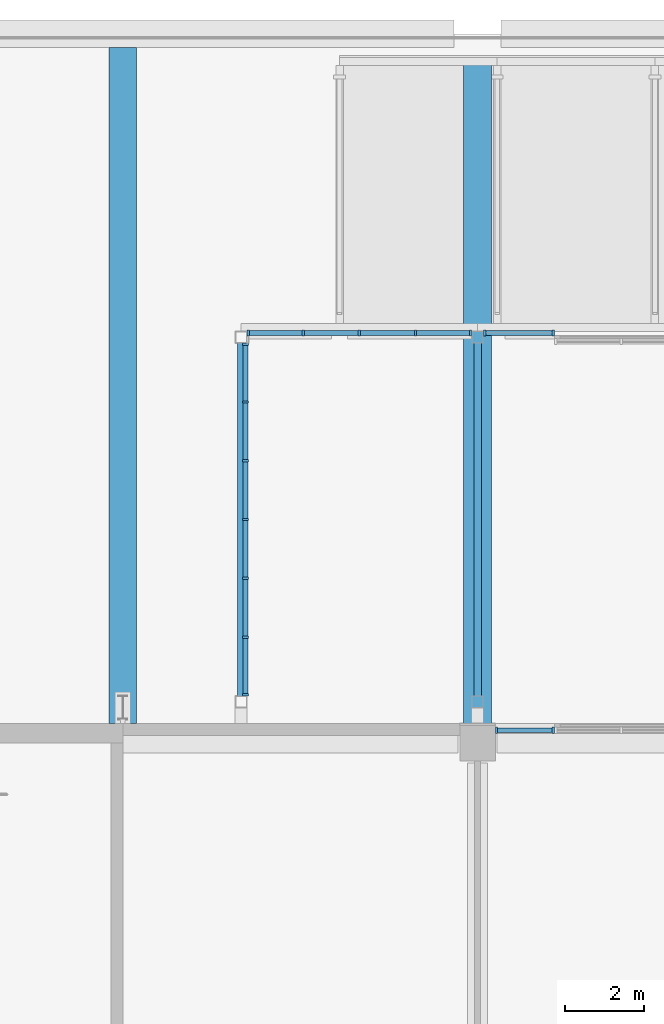
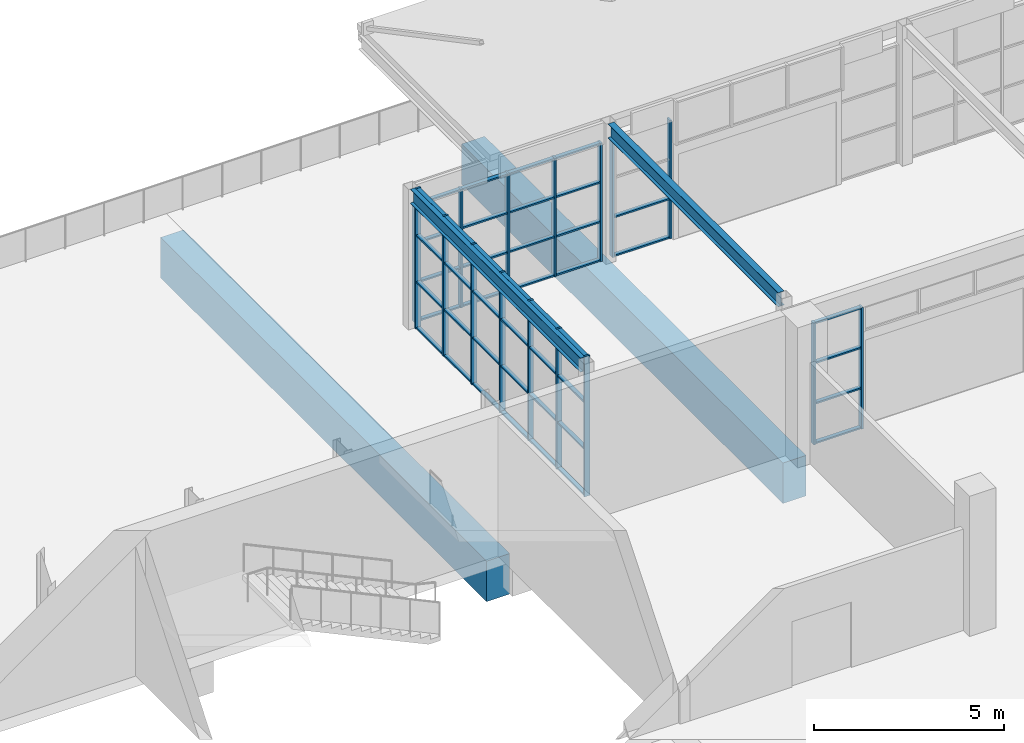
# One storey, part 58 of 168: 62 members, 4 beams, 4 elements without a shape of their own.
"""IFC4 building model written with IfcOpenShell, lengths in metres."""

from ifc_helpers import new_model, si_unit, direction, frame, origin, origin_2d, place, context, subcontext, project, spatial, rectangle, i_section, extrude, material, material_profile, profile_set, type_object, element, aggregate, save


model = new_model("IFC4")

# Units and contexts
model_context = context("Model", 3, precision=1e-05, world=origin(), true_north=direction((0.0, 1.0)))
body_context = subcontext(model_context, "Body", "Model", "MODEL_VIEW")
ifc_project = project(units=[si_unit("LENGTHUNIT", "METRE"), si_unit("AREAUNIT", "SQUARE_METRE"), si_unit("VOLUMEUNIT", "CUBIC_METRE"), si_unit("PLANEANGLEUNIT", "RADIAN"), si_unit("MASSUNIT", "GRAM", prefix="KILO")], contexts=[model_context])

# Site, building, storey
site_placement = place(None, origin())
site = spatial("IfcSite", under=ifc_project, at=site_placement, CompositionType="ELEMENT")
building_placement = place(site_placement, origin())
building = spatial("IfcBuilding", under=site, at=building_placement, Name="Silverbay Arena", CompositionType="ELEMENT")
storey_placement = place(building_placement, frame((0.0, 0.0, 7.0)))
storey = spatial("IfcBuildingStorey", under=building, at=storey_placement, Name="L01", CompositionType="ELEMENT", Elevation=7.0)

# Beams
ifc_material_1 = material(Name="Steel S355", Category="steel")
ifc_material_profile_1 = material_profile(ifc_material_1, i_section(OverallWidth=0.18994140625, OverallDepth=0.453369140625, WebThickness=0.008544921875, FlangeThickness=0.0126953125, at=origin_2d()), Name="UB 457x191x67")
ifc_profile_set_1 = profile_set([ifc_material_profile_1], Name="Steel S355")
beam_type_1 = type_object("IfcBeamType", Name="Hall beam UB 457x191x67", PredefinedType="BEAM", material=ifc_profile_set_1)
for number, where, z_axis, x_axis, name in (
    (1, (120.0, 145.199951171875, 4.273193359375), (0.0, 1.0, 0.0), (-1.0, 0.0, 0.0), "North entrance hall N1 transverse beam 1L11"),
    (2, (126.0, 145.199951171875, 4.273193359375), (0.0, 1.0, 0.0), (-1.0, 0.0, 0.0), "North entrance hall N1 transverse beam 2L11"),
):
    element("IfcBeam", number, at=place(storey_placement, frame(where, z_axis=z_axis, x_axis=x_axis)), inside=storey, type_object=beam_type_1, Name=name, PredefinedType="BEAM", context=body_context, shape_type="SweptSolid", body=[
        extrude(i_section(OverallWidth=0.18994140625, OverallDepth=0.453369140625, WebThickness=0.008544921875, FlangeThickness=0.0126953125, at=origin_2d()), origin(), (0.0, 0.0, 1.0), 8.949951171875),
    ])

# Curtain wall, members
ifc_material_2 = material(Name="Aluminium framed curtain wall", Category="aluminium")
curtain_wall_type_1 = type_object("IfcCurtainWallType", Name="Curtain wall 1500 x 3900", PredefinedType="NOTDEFINED", material=ifc_material_2)
curtain_wall_1_placement = place(storey_placement, origin())
curtain_wall_1 = element("IfcCurtainWall", 3, at=curtain_wall_1_placement, inside=storey, type_object=curtain_wall_type_1, Name="North curtain wall L01 bay 12", PredefinedType="NOTDEFINED")
ifc_material_3 = material(Name="Aluminium", Category="aluminium")
ifc_material_profile_2 = material_profile(ifc_material_3, rectangle(XDim=0.159912109375, YDim=0.06005859375, at=origin_2d()), Name="Mullion 60 x 160")
ifc_profile_set_2 = profile_set([ifc_material_profile_2], Name="Aluminium")
member_type_1 = type_object("IfcMemberType", Name="Mullion 60 x 160", PredefinedType="MULLION", material=ifc_profile_set_2)
member_1_placement = place(storey_placement, frame((127.919921875, 144.330078125, 0.0), z_axis=(0.0, 0.0, 1.0), x_axis=(0.0, -1.0, 0.0)))
member_1 = element("IfcMember", 4, at=member_1_placement, type_object=member_type_1, Name="CW4 mullion 1", PredefinedType="MULLION", context=body_context, shape_type="SweptSolid", body=[
    extrude(rectangle(XDim=0.159912109375, YDim=0.06005859375, at=origin_2d()), origin(), (0.0, 0.0, 1.0), 3.89990234375),
])
member_2_placement = place(storey_placement, frame((126.47998046875, 144.330078125, 0.0), z_axis=(0.0, 0.0, 1.0), x_axis=(0.0, -1.0, 0.0)))
member_2 = element("IfcMember", 5, at=member_2_placement, type_object=member_type_1, Name="CW4 mullion 2", PredefinedType="MULLION", context=body_context, shape_type="SweptSolid", body=[
    extrude(rectangle(XDim=0.159912109375, YDim=0.06005859375, at=origin_2d()), origin(), (0.0, 0.0, 1.0), 3.89990234375),
])

ifc_material_4 = material(Name="Aluminium framed curtain wall", Category="aluminium")
curtain_wall_type_2 = type_object("IfcCurtainWallType", Name="Curtain wall 5700 x 3800", PredefinedType="NOTDEFINED", material=ifc_material_4)
curtain_wall_2_placement = place(storey_placement, origin())
curtain_wall_2 = element("IfcCurtainWall", 6, at=curtain_wall_2_placement, inside=storey, type_object=curtain_wall_type_2, Name="North entrance hall N1 glazing F0", PredefinedType="NOTDEFINED")
member_3_placement = place(storey_placement, frame((120.179931640625, 154.409912109375, 0.0), z_axis=(0.0, 0.0, 1.0), x_axis=(0.0, 1.0, 0.0)))
member_3 = element("IfcMember", 7, at=member_3_placement, type_object=member_type_1, Name="CW42 mullion 1", PredefinedType="MULLION", context=body_context, shape_type="SweptSolid", body=[
    extrude(rectangle(XDim=0.159912109375, YDim=0.06005859375, at=origin_2d()), origin(), (0.0, 0.0, 1.0), 3.800048828125),
])
member_4_placement = place(storey_placement, frame((121.574951171875, 154.409912109375, 0.0), z_axis=(0.0, 0.0, 1.0), x_axis=(0.0, 1.0, 0.0)))
member_4 = element("IfcMember", 8, at=member_4_placement, type_object=member_type_1, Name="CW42 mullion 2", PredefinedType="MULLION", context=body_context, shape_type="SweptSolid", body=[
    extrude(rectangle(XDim=0.159912109375, YDim=0.06005859375, at=origin_2d()), origin(), (0.0, 0.0, 1.0), 3.800048828125),
])
member_5_placement = place(storey_placement, frame((123.0, 154.409912109375, 0.0), z_axis=(0.0, 0.0, 1.0), x_axis=(0.0, 1.0, 0.0)))
member_5 = element("IfcMember", 9, at=member_5_placement, type_object=member_type_1, Name="CW42 mullion 3", PredefinedType="MULLION", context=body_context, shape_type="SweptSolid", body=[
    extrude(rectangle(XDim=0.159912109375, YDim=0.06005859375, at=origin_2d()), origin(), (0.0, 0.0, 1.0), 3.800048828125),
])
member_6_placement = place(storey_placement, frame((124.425048828125, 154.409912109375, 0.0), z_axis=(0.0, 0.0, 1.0), x_axis=(0.0, 1.0, 0.0)))
member_6 = element("IfcMember", 10, at=member_6_placement, type_object=member_type_1, Name="CW42 mullion 4", PredefinedType="MULLION", context=body_context, shape_type="SweptSolid", body=[
    extrude(rectangle(XDim=0.159912109375, YDim=0.06005859375, at=origin_2d()), origin(), (0.0, 0.0, 1.0), 3.800048828125),
])
member_7_placement = place(storey_placement, frame((125.820068359375, 154.409912109375, 0.0), z_axis=(0.0, 0.0, 1.0), x_axis=(0.0, 1.0, 0.0)))
member_7 = element("IfcMember", 11, at=member_7_placement, type_object=member_type_1, Name="CW42 mullion 5", PredefinedType="MULLION", context=body_context, shape_type="SweptSolid", body=[
    extrude(rectangle(XDim=0.159912109375, YDim=0.06005859375, at=origin_2d()), origin(), (0.0, 0.0, 1.0), 3.800048828125),
])

ifc_material_5 = material(Name="Aluminium framed curtain wall", Category="aluminium")
curtain_wall_type_3 = type_object("IfcCurtainWallType", Name="Curtain wall 1800 x 3800", PredefinedType="NOTDEFINED", material=ifc_material_5)
curtain_wall_3_placement = place(storey_placement, origin())
curtain_wall_3 = element("IfcCurtainWall", 12, at=curtain_wall_3_placement, inside=storey, type_object=curtain_wall_type_3, Name="North entrance hall N1 glazing F1a", PredefinedType="NOTDEFINED")
member_8_placement = place(storey_placement, frame((126.179931640625, 154.409912109375, 0.0), z_axis=(0.0, 0.0, 1.0), x_axis=(0.0, 1.0, 0.0)))
member_8 = element("IfcMember", 13, at=member_8_placement, type_object=member_type_1, Name="CW44 mullion 1", PredefinedType="MULLION", context=body_context, shape_type="SweptSolid", body=[
    extrude(rectangle(XDim=0.159912109375, YDim=0.06005859375, at=origin_2d()), origin(), (0.0, 0.0, 1.0), 3.800048828125),
])
member_9_placement = place(storey_placement, frame((127.919921875, 154.409912109375, 0.0), z_axis=(0.0, 0.0, 1.0), x_axis=(0.0, 1.0, 0.0)))
member_9 = element("IfcMember", 14, at=member_9_placement, type_object=member_type_1, Name="CW44 mullion 2", PredefinedType="MULLION", context=body_context, shape_type="SweptSolid", body=[
    extrude(rectangle(XDim=0.159912109375, YDim=0.06005859375, at=origin_2d()), origin(), (0.0, 0.0, 1.0), 3.800048828125),
])

ifc_material_6 = material(Name="Aluminium framed curtain wall", Category="aluminium")
curtain_wall_type_4 = type_object("IfcCurtainWallType", Name="Curtain wall 8950 x 4500", PredefinedType="NOTDEFINED", material=ifc_material_6)
curtain_wall_4_placement = place(storey_placement, origin())
curtain_wall_4 = element("IfcCurtainWall", 15, at=curtain_wall_4_placement, inside=storey, type_object=curtain_wall_type_4, Name="North entrance hall N1 glazing SA", PredefinedType="NOTDEFINED")
member_10_placement = place(storey_placement, frame((120.110107421875, 154.1201171875, 0.0), z_axis=(0.0, 0.0, 1.0), x_axis=(1.0, 0.0, 0.0)))
member_10 = element("IfcMember", 16, at=member_10_placement, type_object=member_type_1, Name="CW46 mullion 1", PredefinedType="MULLION", context=body_context, shape_type="SweptSolid", body=[
    extrude(rectangle(XDim=0.159912109375, YDim=0.06005859375, at=origin_2d()), origin(), (0.0, 0.0, 1.0), 4.5),
])
member_11_placement = place(storey_placement, frame((120.110107421875, 152.658447265625, 0.0), z_axis=(0.0, 0.0, 1.0), x_axis=(1.0, 0.0, 0.0)))
member_11 = element("IfcMember", 17, at=member_11_placement, type_object=member_type_1, Name="CW46 mullion 2", PredefinedType="MULLION", context=body_context, shape_type="SweptSolid", body=[
    extrude(rectangle(XDim=0.159912109375, YDim=0.06005859375, at=origin_2d()), origin(), (0.0, 0.0, 1.0), 4.5),
])
member_12_placement = place(storey_placement, frame((120.110107421875, 151.166748046875, 0.0), z_axis=(0.0, 0.0, 1.0), x_axis=(1.0, 0.0, 0.0)))
member_12 = element("IfcMember", 18, at=member_12_placement, type_object=member_type_1, Name="CW46 mullion 3", PredefinedType="MULLION", context=body_context, shape_type="SweptSolid", body=[
    extrude(rectangle(XDim=0.159912109375, YDim=0.06005859375, at=origin_2d()), origin(), (0.0, 0.0, 1.0), 4.5),
])
member_13_placement = place(storey_placement, frame((120.110107421875, 149.675048828125, 0.0), z_axis=(0.0, 0.0, 1.0), x_axis=(1.0, 0.0, 0.0)))
member_13 = element("IfcMember", 19, at=member_13_placement, type_object=member_type_1, Name="CW46 mullion 4", PredefinedType="MULLION", context=body_context, shape_type="SweptSolid", body=[
    extrude(rectangle(XDim=0.159912109375, YDim=0.06005859375, at=origin_2d()), origin(), (0.0, 0.0, 1.0), 4.5),
])
member_14_placement = place(storey_placement, frame((120.110107421875, 148.183349609375, 0.0), z_axis=(0.0, 0.0, 1.0), x_axis=(1.0, 0.0, 0.0)))
member_14 = element("IfcMember", 20, at=member_14_placement, type_object=member_type_1, Name="CW46 mullion 5", PredefinedType="MULLION", context=body_context, shape_type="SweptSolid", body=[
    extrude(rectangle(XDim=0.159912109375, YDim=0.06005859375, at=origin_2d()), origin(), (0.0, 0.0, 1.0), 4.5),
])
member_15_placement = place(storey_placement, frame((120.110107421875, 146.691650390625, 0.0), z_axis=(0.0, 0.0, 1.0), x_axis=(1.0, 0.0, 0.0)))
member_15 = element("IfcMember", 21, at=member_15_placement, type_object=member_type_1, Name="CW46 mullion 6", PredefinedType="MULLION", context=body_context, shape_type="SweptSolid", body=[
    extrude(rectangle(XDim=0.159912109375, YDim=0.06005859375, at=origin_2d()), origin(), (0.0, 0.0, 1.0), 4.5),
])
member_16_placement = place(storey_placement, frame((120.110107421875, 145.22998046875, 0.0), z_axis=(0.0, 0.0, 1.0), x_axis=(1.0, 0.0, 0.0)))
member_16 = element("IfcMember", 22, at=member_16_placement, type_object=member_type_1, Name="CW46 mullion 7", PredefinedType="MULLION", context=body_context, shape_type="SweptSolid", body=[
    extrude(rectangle(XDim=0.159912109375, YDim=0.06005859375, at=origin_2d()), origin(), (0.0, 0.0, 1.0), 4.5),
])

# Beams
ifc_material_7 = material(Name="Concrete Grade C45", Category="concrete")
ifc_material_profile_3 = material_profile(ifc_material_7, rectangle(XDim=0.699951171875, YDim=1.300048828125, at=origin_2d()), Name="RC 700x1300")
ifc_profile_set_3 = profile_set([ifc_material_profile_3], Name="Concrete Grade C45")
beam_type_2 = type_object("IfcBeamType", Name="RC girder 700x1300", PredefinedType="BEAM", material=ifc_profile_set_3)
beam_1_placement = place(storey_placement, frame((117.0, 144.5, -1.10009765625), z_axis=(0.0, 1.0, 0.0), x_axis=(-1.0, 0.0, 0.0)))
element("IfcBeam", 23, at=beam_1_placement, inside=storey, type_object=beam_type_2, Name="Deck secondary beam 118", PredefinedType="BEAM", context=body_context, shape_type="SweptSolid", body=[
    extrude(rectangle(XDim=0.699951171875, YDim=1.300048828125, at=origin_2d()), origin(), (0.0, 0.0, 1.0), 17.14990234375),
])
beam_2_placement = place(storey_placement, frame((126.0, 144.5, -1.10009765625), z_axis=(0.0, 1.0, 0.0), x_axis=(-1.0, 0.0, 0.0)))
element("IfcBeam", 24, at=beam_2_placement, inside=storey, type_object=beam_type_2, Name="Deck secondary beam 120", PredefinedType="BEAM", context=body_context, shape_type="SweptSolid", body=[
    extrude(rectangle(XDim=0.699951171875, YDim=1.300048828125, at=origin_2d()), origin(), (0.0, 0.0, 1.0), 16.89990234375),
])

# Member
ifc_material_8 = material(Name="Aluminium", Category="aluminium")
ifc_material_profile_4 = material_profile(ifc_material_8, rectangle(XDim=0.1201171875, YDim=0.050048828125, at=origin_2d()), Name="Transom 50 x 120")
ifc_profile_set_4 = profile_set([ifc_material_profile_4], Name="Aluminium")
member_type_2 = type_object("IfcMemberType", Name="Transom 50 x 120", PredefinedType="USERDEFINED", material=ifc_profile_set_4)
member_17_placement = place(storey_placement, frame((127.889892578125, 144.330078125, 0.02490234375), z_axis=(-1.0, 0.0, 0.0), x_axis=(0.0, -1.0, 0.0)))
member_17 = element("IfcMember", 25, at=member_17_placement, type_object=member_type_2, Name="CW4 transom 1.1", ObjectType="TRANSOM", PredefinedType="USERDEFINED", context=body_context, shape_type="SweptSolid", body=[
    extrude(rectangle(XDim=0.1201171875, YDim=0.050048828125, at=origin_2d()), origin(), (0.0, 0.0, 1.0), 1.3798828125),
])

member_18_placement = place(storey_placement, frame((127.889892578125, 144.330078125, 1.300048828125), z_axis=(-1.0, 0.0, 0.0), x_axis=(0.0, -1.0, 0.0)))
member_18 = element("IfcMember", 26, at=member_18_placement, type_object=member_type_2, Name="CW4 transom 1.2", ObjectType="TRANSOM", PredefinedType="USERDEFINED", context=body_context, shape_type="SweptSolid", body=[
    extrude(rectangle(XDim=0.1201171875, YDim=0.050048828125, at=origin_2d()), origin(), (0.0, 0.0, 1.0), 1.3798828125),
])

member_19_placement = place(storey_placement, frame((127.889892578125, 144.330078125, 2.60009765625), z_axis=(-1.0, 0.0, 0.0), x_axis=(0.0, -1.0, 0.0)))
member_19 = element("IfcMember", 27, at=member_19_placement, type_object=member_type_2, Name="CW4 transom 1.3", ObjectType="TRANSOM", PredefinedType="USERDEFINED", context=body_context, shape_type="SweptSolid", body=[
    extrude(rectangle(XDim=0.1201171875, YDim=0.050048828125, at=origin_2d()), origin(), (0.0, 0.0, 1.0), 1.3798828125),
])

member_20_placement = place(storey_placement, frame((127.889892578125, 144.330078125, 3.875), z_axis=(-1.0, 0.0, 0.0), x_axis=(0.0, -1.0, 0.0)))
member_20 = element("IfcMember", 28, at=member_20_placement, type_object=member_type_2, Name="CW4 transom 1.4", ObjectType="TRANSOM", PredefinedType="USERDEFINED", context=body_context, shape_type="SweptSolid", body=[
    extrude(rectangle(XDim=0.1201171875, YDim=0.050048828125, at=origin_2d()), origin(), (0.0, 0.0, 1.0), 1.3798828125),
])

aggregate(curtain_wall_1, [member_1, member_2, member_17, member_18, member_19, member_20])

member_21_placement = place(storey_placement, frame((120.2099609375, 154.409912109375, 0.02490234375), z_axis=(1.0, 0.0, 0.0), x_axis=(0.0, 1.0, 0.0)))
member_21 = element("IfcMember", 29, at=member_21_placement, type_object=member_type_2, Name="CW42 transom 1.1", ObjectType="TRANSOM", PredefinedType="USERDEFINED", context=body_context, shape_type="SweptSolid", body=[
    extrude(rectangle(XDim=0.1201171875, YDim=0.050048828125, at=origin_2d()), origin(), (0.0, 0.0, 1.0), 1.3349609375),
])

member_22_placement = place(storey_placement, frame((120.2099609375, 154.409912109375, 1.2666015625), z_axis=(1.0, 0.0, 0.0), x_axis=(0.0, 1.0, 0.0)))
member_22 = element("IfcMember", 30, at=member_22_placement, type_object=member_type_2, Name="CW42 transom 1.2", ObjectType="TRANSOM", PredefinedType="USERDEFINED", context=body_context, shape_type="SweptSolid", body=[
    extrude(rectangle(XDim=0.1201171875, YDim=0.050048828125, at=origin_2d()), origin(), (0.0, 0.0, 1.0), 1.3349609375),
])

member_23_placement = place(storey_placement, frame((120.2099609375, 154.409912109375, 2.533447265625), z_axis=(1.0, 0.0, 0.0), x_axis=(0.0, 1.0, 0.0)))
member_23 = element("IfcMember", 31, at=member_23_placement, type_object=member_type_2, Name="CW42 transom 1.3", ObjectType="TRANSOM", PredefinedType="USERDEFINED", context=body_context, shape_type="SweptSolid", body=[
    extrude(rectangle(XDim=0.1201171875, YDim=0.050048828125, at=origin_2d()), origin(), (0.0, 0.0, 1.0), 1.3349609375),
])

member_24_placement = place(storey_placement, frame((120.2099609375, 154.409912109375, 3.77490234375), z_axis=(1.0, 0.0, 0.0), x_axis=(0.0, 1.0, 0.0)))
member_24 = element("IfcMember", 32, at=member_24_placement, type_object=member_type_2, Name="CW42 transom 1.4", ObjectType="TRANSOM", PredefinedType="USERDEFINED", context=body_context, shape_type="SweptSolid", body=[
    extrude(rectangle(XDim=0.1201171875, YDim=0.050048828125, at=origin_2d()), origin(), (0.0, 0.0, 1.0), 1.3349609375),
])

member_25_placement = place(storey_placement, frame((121.60498046875, 154.409912109375, 0.02490234375), z_axis=(1.0, 0.0, 0.0), x_axis=(0.0, 1.0, 0.0)))
member_25 = element("IfcMember", 33, at=member_25_placement, type_object=member_type_2, Name="CW42 transom 2.1", ObjectType="TRANSOM", PredefinedType="USERDEFINED", context=body_context, shape_type="SweptSolid", body=[
    extrude(rectangle(XDim=0.1201171875, YDim=0.050048828125, at=origin_2d()), origin(), (0.0, 0.0, 1.0), 1.364990234375),
])

member_26_placement = place(storey_placement, frame((121.60498046875, 154.409912109375, 1.2666015625), z_axis=(1.0, 0.0, 0.0), x_axis=(0.0, 1.0, 0.0)))
member_26 = element("IfcMember", 34, at=member_26_placement, type_object=member_type_2, Name="CW42 transom 2.2", ObjectType="TRANSOM", PredefinedType="USERDEFINED", context=body_context, shape_type="SweptSolid", body=[
    extrude(rectangle(XDim=0.1201171875, YDim=0.050048828125, at=origin_2d()), origin(), (0.0, 0.0, 1.0), 1.364990234375),
])

member_27_placement = place(storey_placement, frame((121.60498046875, 154.409912109375, 2.533447265625), z_axis=(1.0, 0.0, 0.0), x_axis=(0.0, 1.0, 0.0)))
member_27 = element("IfcMember", 35, at=member_27_placement, type_object=member_type_2, Name="CW42 transom 2.3", ObjectType="TRANSOM", PredefinedType="USERDEFINED", context=body_context, shape_type="SweptSolid", body=[
    extrude(rectangle(XDim=0.1201171875, YDim=0.050048828125, at=origin_2d()), origin(), (0.0, 0.0, 1.0), 1.364990234375),
])

member_28_placement = place(storey_placement, frame((121.60498046875, 154.409912109375, 3.77490234375), z_axis=(1.0, 0.0, 0.0), x_axis=(0.0, 1.0, 0.0)))
member_28 = element("IfcMember", 36, at=member_28_placement, type_object=member_type_2, Name="CW42 transom 2.4", ObjectType="TRANSOM", PredefinedType="USERDEFINED", context=body_context, shape_type="SweptSolid", body=[
    extrude(rectangle(XDim=0.1201171875, YDim=0.050048828125, at=origin_2d()), origin(), (0.0, 0.0, 1.0), 1.364990234375),
])

member_29_placement = place(storey_placement, frame((123.030029296875, 154.409912109375, 0.02490234375), z_axis=(1.0, 0.0, 0.0), x_axis=(0.0, 1.0, 0.0)))
member_29 = element("IfcMember", 37, at=member_29_placement, type_object=member_type_2, Name="CW42 transom 3.1", ObjectType="TRANSOM", PredefinedType="USERDEFINED", context=body_context, shape_type="SweptSolid", body=[
    extrude(rectangle(XDim=0.1201171875, YDim=0.050048828125, at=origin_2d()), origin(), (0.0, 0.0, 1.0), 1.364990234375),
])

member_30_placement = place(storey_placement, frame((123.030029296875, 154.409912109375, 1.2666015625), z_axis=(1.0, 0.0, 0.0), x_axis=(0.0, 1.0, 0.0)))
member_30 = element("IfcMember", 38, at=member_30_placement, type_object=member_type_2, Name="CW42 transom 3.2", ObjectType="TRANSOM", PredefinedType="USERDEFINED", context=body_context, shape_type="SweptSolid", body=[
    extrude(rectangle(XDim=0.1201171875, YDim=0.050048828125, at=origin_2d()), origin(), (0.0, 0.0, 1.0), 1.364990234375),
])

member_31_placement = place(storey_placement, frame((123.030029296875, 154.409912109375, 2.533447265625), z_axis=(1.0, 0.0, 0.0), x_axis=(0.0, 1.0, 0.0)))
member_31 = element("IfcMember", 39, at=member_31_placement, type_object=member_type_2, Name="CW42 transom 3.3", ObjectType="TRANSOM", PredefinedType="USERDEFINED", context=body_context, shape_type="SweptSolid", body=[
    extrude(rectangle(XDim=0.1201171875, YDim=0.050048828125, at=origin_2d()), origin(), (0.0, 0.0, 1.0), 1.364990234375),
])

member_32_placement = place(storey_placement, frame((123.030029296875, 154.409912109375, 3.77490234375), z_axis=(1.0, 0.0, 0.0), x_axis=(0.0, 1.0, 0.0)))
member_32 = element("IfcMember", 40, at=member_32_placement, type_object=member_type_2, Name="CW42 transom 3.4", ObjectType="TRANSOM", PredefinedType="USERDEFINED", context=body_context, shape_type="SweptSolid", body=[
    extrude(rectangle(XDim=0.1201171875, YDim=0.050048828125, at=origin_2d()), origin(), (0.0, 0.0, 1.0), 1.364990234375),
])

member_33_placement = place(storey_placement, frame((124.455078125, 154.409912109375, 0.02490234375), z_axis=(1.0, 0.0, 0.0), x_axis=(0.0, 1.0, 0.0)))
member_33 = element("IfcMember", 41, at=member_33_placement, type_object=member_type_2, Name="CW42 transom 4.1", ObjectType="TRANSOM", PredefinedType="USERDEFINED", context=body_context, shape_type="SweptSolid", body=[
    extrude(rectangle(XDim=0.1201171875, YDim=0.050048828125, at=origin_2d()), origin(), (0.0, 0.0, 1.0), 1.3349609375),
])

member_34_placement = place(storey_placement, frame((124.455078125, 154.409912109375, 1.2666015625), z_axis=(1.0, 0.0, 0.0), x_axis=(0.0, 1.0, 0.0)))
member_34 = element("IfcMember", 42, at=member_34_placement, type_object=member_type_2, Name="CW42 transom 4.2", ObjectType="TRANSOM", PredefinedType="USERDEFINED", context=body_context, shape_type="SweptSolid", body=[
    extrude(rectangle(XDim=0.1201171875, YDim=0.050048828125, at=origin_2d()), origin(), (0.0, 0.0, 1.0), 1.3349609375),
])

member_35_placement = place(storey_placement, frame((124.455078125, 154.409912109375, 2.533447265625), z_axis=(1.0, 0.0, 0.0), x_axis=(0.0, 1.0, 0.0)))
member_35 = element("IfcMember", 43, at=member_35_placement, type_object=member_type_2, Name="CW42 transom 4.3", ObjectType="TRANSOM", PredefinedType="USERDEFINED", context=body_context, shape_type="SweptSolid", body=[
    extrude(rectangle(XDim=0.1201171875, YDim=0.050048828125, at=origin_2d()), origin(), (0.0, 0.0, 1.0), 1.3349609375),
])

member_36_placement = place(storey_placement, frame((124.455078125, 154.409912109375, 3.77490234375), z_axis=(1.0, 0.0, 0.0), x_axis=(0.0, 1.0, 0.0)))
member_36 = element("IfcMember", 44, at=member_36_placement, type_object=member_type_2, Name="CW42 transom 4.4", ObjectType="TRANSOM", PredefinedType="USERDEFINED", context=body_context, shape_type="SweptSolid", body=[
    extrude(rectangle(XDim=0.1201171875, YDim=0.050048828125, at=origin_2d()), origin(), (0.0, 0.0, 1.0), 1.3349609375),
])

aggregate(curtain_wall_2, [member_3, member_4, member_5, member_6, member_7, member_21, member_22, member_23, member_24, member_25, member_26, member_27, member_28, member_29, member_30, member_31, member_32, member_33, member_34, member_35, member_36])

member_37_placement = place(storey_placement, frame((126.2099609375, 154.409912109375, 0.02490234375), z_axis=(1.0, 0.0, 0.0), x_axis=(0.0, 1.0, 0.0)))
member_37 = element("IfcMember", 45, at=member_37_placement, type_object=member_type_2, Name="CW44 transom 1.1", ObjectType="TRANSOM", PredefinedType="USERDEFINED", context=body_context, shape_type="SweptSolid", body=[
    extrude(rectangle(XDim=0.1201171875, YDim=0.050048828125, at=origin_2d()), origin(), (0.0, 0.0, 1.0), 1.679931640625),
])

member_38_placement = place(storey_placement, frame((126.2099609375, 154.409912109375, 1.2666015625), z_axis=(1.0, 0.0, 0.0), x_axis=(0.0, 1.0, 0.0)))
member_38 = element("IfcMember", 46, at=member_38_placement, type_object=member_type_2, Name="CW44 transom 1.2", ObjectType="TRANSOM", PredefinedType="USERDEFINED", context=body_context, shape_type="SweptSolid", body=[
    extrude(rectangle(XDim=0.1201171875, YDim=0.050048828125, at=origin_2d()), origin(), (0.0, 0.0, 1.0), 1.679931640625),
])

aggregate(curtain_wall_3, [member_8, member_9, member_37, member_38])

member_39_placement = place(storey_placement, frame((120.110107421875, 154.090087890625, 0.02490234375), z_axis=(0.0, -1.0, 0.0), x_axis=(1.0, 0.0, 0.0)))
member_39 = element("IfcMember", 47, at=member_39_placement, type_object=member_type_2, Name="CW46 transom 1.1", ObjectType="TRANSOM", PredefinedType="USERDEFINED", context=body_context, shape_type="SweptSolid", body=[
    extrude(rectangle(XDim=0.1201171875, YDim=0.050048828125, at=origin_2d()), origin(), (0.0, 0.0, 1.0), 1.40185546875),
])

member_40_placement = place(storey_placement, frame((120.110107421875, 154.090087890625, 1.5), z_axis=(0.0, -1.0, 0.0), x_axis=(1.0, 0.0, 0.0)))
member_40 = element("IfcMember", 48, at=member_40_placement, type_object=member_type_2, Name="CW46 transom 1.2", ObjectType="TRANSOM", PredefinedType="USERDEFINED", context=body_context, shape_type="SweptSolid", body=[
    extrude(rectangle(XDim=0.1201171875, YDim=0.050048828125, at=origin_2d()), origin(), (0.0, 0.0, 1.0), 1.40185546875),
])

member_41_placement = place(storey_placement, frame((120.110107421875, 154.090087890625, 3.0), z_axis=(0.0, -1.0, 0.0), x_axis=(1.0, 0.0, 0.0)))
member_41 = element("IfcMember", 49, at=member_41_placement, type_object=member_type_2, Name="CW46 transom 1.3", ObjectType="TRANSOM", PredefinedType="USERDEFINED", context=body_context, shape_type="SweptSolid", body=[
    extrude(rectangle(XDim=0.1201171875, YDim=0.050048828125, at=origin_2d()), origin(), (0.0, 0.0, 1.0), 1.40185546875),
])

member_42_placement = place(storey_placement, frame((120.110107421875, 154.090087890625, 4.47509765625), z_axis=(0.0, -1.0, 0.0), x_axis=(1.0, 0.0, 0.0)))
member_42 = element("IfcMember", 50, at=member_42_placement, type_object=member_type_2, Name="CW46 transom 1.4", ObjectType="TRANSOM", PredefinedType="USERDEFINED", context=body_context, shape_type="SweptSolid", body=[
    extrude(rectangle(XDim=0.1201171875, YDim=0.050048828125, at=origin_2d()), origin(), (0.0, 0.0, 1.0), 1.40185546875),
])

member_43_placement = place(storey_placement, frame((120.110107421875, 152.62841796875, 0.02490234375), z_axis=(0.0, -1.0, 0.0), x_axis=(1.0, 0.0, 0.0)))
member_43 = element("IfcMember", 51, at=member_43_placement, type_object=member_type_2, Name="CW46 transom 2.1", ObjectType="TRANSOM", PredefinedType="USERDEFINED", context=body_context, shape_type="SweptSolid", body=[
    extrude(rectangle(XDim=0.1201171875, YDim=0.050048828125, at=origin_2d()), origin(), (0.0, 0.0, 1.0), 1.431640625),
])

member_44_placement = place(storey_placement, frame((120.110107421875, 152.62841796875, 1.5), z_axis=(0.0, -1.0, 0.0), x_axis=(1.0, 0.0, 0.0)))
member_44 = element("IfcMember", 52, at=member_44_placement, type_object=member_type_2, Name="CW46 transom 2.2", ObjectType="TRANSOM", PredefinedType="USERDEFINED", context=body_context, shape_type="SweptSolid", body=[
    extrude(rectangle(XDim=0.1201171875, YDim=0.050048828125, at=origin_2d()), origin(), (0.0, 0.0, 1.0), 1.431640625),
])

member_45_placement = place(storey_placement, frame((120.110107421875, 152.62841796875, 3.0), z_axis=(0.0, -1.0, 0.0), x_axis=(1.0, 0.0, 0.0)))
member_45 = element("IfcMember", 53, at=member_45_placement, type_object=member_type_2, Name="CW46 transom 2.3", ObjectType="TRANSOM", PredefinedType="USERDEFINED", context=body_context, shape_type="SweptSolid", body=[
    extrude(rectangle(XDim=0.1201171875, YDim=0.050048828125, at=origin_2d()), origin(), (0.0, 0.0, 1.0), 1.431640625),
])

member_46_placement = place(storey_placement, frame((120.110107421875, 152.62841796875, 4.47509765625), z_axis=(0.0, -1.0, 0.0), x_axis=(1.0, 0.0, 0.0)))
member_46 = element("IfcMember", 54, at=member_46_placement, type_object=member_type_2, Name="CW46 transom 2.4", ObjectType="TRANSOM", PredefinedType="USERDEFINED", context=body_context, shape_type="SweptSolid", body=[
    extrude(rectangle(XDim=0.1201171875, YDim=0.050048828125, at=origin_2d()), origin(), (0.0, 0.0, 1.0), 1.431640625),
])

member_47_placement = place(storey_placement, frame((120.110107421875, 151.13671875, 0.02490234375), z_axis=(0.0, -1.0, 0.0), x_axis=(1.0, 0.0, 0.0)))
member_47 = element("IfcMember", 55, at=member_47_placement, type_object=member_type_2, Name="CW46 transom 3.1", ObjectType="TRANSOM", PredefinedType="USERDEFINED", context=body_context, shape_type="SweptSolid", body=[
    extrude(rectangle(XDim=0.1201171875, YDim=0.050048828125, at=origin_2d()), origin(), (0.0, 0.0, 1.0), 1.431640625),
])

member_48_placement = place(storey_placement, frame((120.110107421875, 151.13671875, 1.5), z_axis=(0.0, -1.0, 0.0), x_axis=(1.0, 0.0, 0.0)))
member_48 = element("IfcMember", 56, at=member_48_placement, type_object=member_type_2, Name="CW46 transom 3.2", ObjectType="TRANSOM", PredefinedType="USERDEFINED", context=body_context, shape_type="SweptSolid", body=[
    extrude(rectangle(XDim=0.1201171875, YDim=0.050048828125, at=origin_2d()), origin(), (0.0, 0.0, 1.0), 1.431640625),
])

member_49_placement = place(storey_placement, frame((120.110107421875, 151.13671875, 3.0), z_axis=(0.0, -1.0, 0.0), x_axis=(1.0, 0.0, 0.0)))
member_49 = element("IfcMember", 57, at=member_49_placement, type_object=member_type_2, Name="CW46 transom 3.3", ObjectType="TRANSOM", PredefinedType="USERDEFINED", context=body_context, shape_type="SweptSolid", body=[
    extrude(rectangle(XDim=0.1201171875, YDim=0.050048828125, at=origin_2d()), origin(), (0.0, 0.0, 1.0), 1.431640625),
])

member_50_placement = place(storey_placement, frame((120.110107421875, 151.13671875, 4.47509765625), z_axis=(0.0, -1.0, 0.0), x_axis=(1.0, 0.0, 0.0)))
member_50 = element("IfcMember", 58, at=member_50_placement, type_object=member_type_2, Name="CW46 transom 3.4", ObjectType="TRANSOM", PredefinedType="USERDEFINED", context=body_context, shape_type="SweptSolid", body=[
    extrude(rectangle(XDim=0.1201171875, YDim=0.050048828125, at=origin_2d()), origin(), (0.0, 0.0, 1.0), 1.431640625),
])

member_51_placement = place(storey_placement, frame((120.110107421875, 149.64501953125, 0.02490234375), z_axis=(0.0, -1.0, 0.0), x_axis=(1.0, 0.0, 0.0)))
member_51 = element("IfcMember", 59, at=member_51_placement, type_object=member_type_2, Name="CW46 transom 4.1", ObjectType="TRANSOM", PredefinedType="USERDEFINED", context=body_context, shape_type="SweptSolid", body=[
    extrude(rectangle(XDim=0.1201171875, YDim=0.050048828125, at=origin_2d()), origin(), (0.0, 0.0, 1.0), 1.431640625),
])

member_52_placement = place(storey_placement, frame((120.110107421875, 149.64501953125, 1.5), z_axis=(0.0, -1.0, 0.0), x_axis=(1.0, 0.0, 0.0)))
member_52 = element("IfcMember", 60, at=member_52_placement, type_object=member_type_2, Name="CW46 transom 4.2", ObjectType="TRANSOM", PredefinedType="USERDEFINED", context=body_context, shape_type="SweptSolid", body=[
    extrude(rectangle(XDim=0.1201171875, YDim=0.050048828125, at=origin_2d()), origin(), (0.0, 0.0, 1.0), 1.431640625),
])

member_53_placement = place(storey_placement, frame((120.110107421875, 149.64501953125, 3.0), z_axis=(0.0, -1.0, 0.0), x_axis=(1.0, 0.0, 0.0)))
member_53 = element("IfcMember", 61, at=member_53_placement, type_object=member_type_2, Name="CW46 transom 4.3", ObjectType="TRANSOM", PredefinedType="USERDEFINED", context=body_context, shape_type="SweptSolid", body=[
    extrude(rectangle(XDim=0.1201171875, YDim=0.050048828125, at=origin_2d()), origin(), (0.0, 0.0, 1.0), 1.431640625),
])

member_54_placement = place(storey_placement, frame((120.110107421875, 149.64501953125, 4.47509765625), z_axis=(0.0, -1.0, 0.0), x_axis=(1.0, 0.0, 0.0)))
member_54 = element("IfcMember", 62, at=member_54_placement, type_object=member_type_2, Name="CW46 transom 4.4", ObjectType="TRANSOM", PredefinedType="USERDEFINED", context=body_context, shape_type="SweptSolid", body=[
    extrude(rectangle(XDim=0.1201171875, YDim=0.050048828125, at=origin_2d()), origin(), (0.0, 0.0, 1.0), 1.431640625),
])

member_55_placement = place(storey_placement, frame((120.110107421875, 148.1533203125, 0.02490234375), z_axis=(0.0, -1.0, 0.0), x_axis=(1.0, 0.0, 0.0)))
member_55 = element("IfcMember", 63, at=member_55_placement, type_object=member_type_2, Name="CW46 transom 5.1", ObjectType="TRANSOM", PredefinedType="USERDEFINED", context=body_context, shape_type="SweptSolid", body=[
    extrude(rectangle(XDim=0.1201171875, YDim=0.050048828125, at=origin_2d()), origin(), (0.0, 0.0, 1.0), 1.431640625),
])

member_56_placement = place(storey_placement, frame((120.110107421875, 148.1533203125, 1.5), z_axis=(0.0, -1.0, 0.0), x_axis=(1.0, 0.0, 0.0)))
member_56 = element("IfcMember", 64, at=member_56_placement, type_object=member_type_2, Name="CW46 transom 5.2", ObjectType="TRANSOM", PredefinedType="USERDEFINED", context=body_context, shape_type="SweptSolid", body=[
    extrude(rectangle(XDim=0.1201171875, YDim=0.050048828125, at=origin_2d()), origin(), (0.0, 0.0, 1.0), 1.431640625),
])

member_57_placement = place(storey_placement, frame((120.110107421875, 148.1533203125, 3.0), z_axis=(0.0, -1.0, 0.0), x_axis=(1.0, 0.0, 0.0)))
member_57 = element("IfcMember", 65, at=member_57_placement, type_object=member_type_2, Name="CW46 transom 5.3", ObjectType="TRANSOM", PredefinedType="USERDEFINED", context=body_context, shape_type="SweptSolid", body=[
    extrude(rectangle(XDim=0.1201171875, YDim=0.050048828125, at=origin_2d()), origin(), (0.0, 0.0, 1.0), 1.431640625),
])

member_58_placement = place(storey_placement, frame((120.110107421875, 148.1533203125, 4.47509765625), z_axis=(0.0, -1.0, 0.0), x_axis=(1.0, 0.0, 0.0)))
member_58 = element("IfcMember", 66, at=member_58_placement, type_object=member_type_2, Name="CW46 transom 5.4", ObjectType="TRANSOM", PredefinedType="USERDEFINED", context=body_context, shape_type="SweptSolid", body=[
    extrude(rectangle(XDim=0.1201171875, YDim=0.050048828125, at=origin_2d()), origin(), (0.0, 0.0, 1.0), 1.431640625),
])

member_59_placement = place(storey_placement, frame((120.110107421875, 146.66162109375, 0.02490234375), z_axis=(0.0, -1.0, 0.0), x_axis=(1.0, 0.0, 0.0)))
member_59 = element("IfcMember", 67, at=member_59_placement, type_object=member_type_2, Name="CW46 transom 6.1", ObjectType="TRANSOM", PredefinedType="USERDEFINED", context=body_context, shape_type="SweptSolid", body=[
    extrude(rectangle(XDim=0.1201171875, YDim=0.050048828125, at=origin_2d()), origin(), (0.0, 0.0, 1.0), 1.401611328125),
])

member_60_placement = place(storey_placement, frame((120.110107421875, 146.66162109375, 1.5), z_axis=(0.0, -1.0, 0.0), x_axis=(1.0, 0.0, 0.0)))
member_60 = element("IfcMember", 68, at=member_60_placement, type_object=member_type_2, Name="CW46 transom 6.2", ObjectType="TRANSOM", PredefinedType="USERDEFINED", context=body_context, shape_type="SweptSolid", body=[
    extrude(rectangle(XDim=0.1201171875, YDim=0.050048828125, at=origin_2d()), origin(), (0.0, 0.0, 1.0), 1.401611328125),
])

member_61_placement = place(storey_placement, frame((120.110107421875, 146.66162109375, 3.0), z_axis=(0.0, -1.0, 0.0), x_axis=(1.0, 0.0, 0.0)))
member_61 = element("IfcMember", 69, at=member_61_placement, type_object=member_type_2, Name="CW46 transom 6.3", ObjectType="TRANSOM", PredefinedType="USERDEFINED", context=body_context, shape_type="SweptSolid", body=[
    extrude(rectangle(XDim=0.1201171875, YDim=0.050048828125, at=origin_2d()), origin(), (0.0, 0.0, 1.0), 1.401611328125),
])

member_62_placement = place(storey_placement, frame((120.110107421875, 146.66162109375, 4.47509765625), z_axis=(0.0, -1.0, 0.0), x_axis=(1.0, 0.0, 0.0)))
member_62 = element("IfcMember", 70, at=member_62_placement, type_object=member_type_2, Name="CW46 transom 6.4", ObjectType="TRANSOM", PredefinedType="USERDEFINED", context=body_context, shape_type="SweptSolid", body=[
    extrude(rectangle(XDim=0.1201171875, YDim=0.050048828125, at=origin_2d()), origin(), (0.0, 0.0, 1.0), 1.401611328125),
])

aggregate(curtain_wall_4, [member_10, member_11, member_12, member_13, member_14, member_15, member_16, member_39, member_40, member_41, member_42, member_43, member_44, member_45, member_46, member_47, member_48, member_49, member_50, member_51, member_52, member_53, member_54, member_55, member_56, member_57, member_58, member_59, member_60, member_61, member_62])

save(model, "model.ifc")
